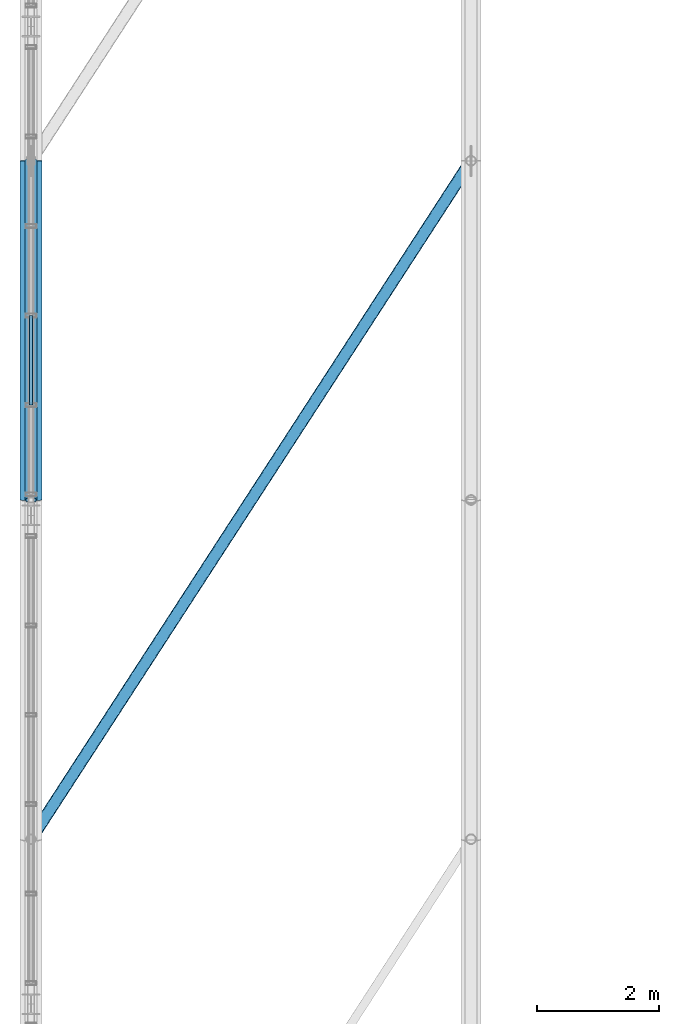
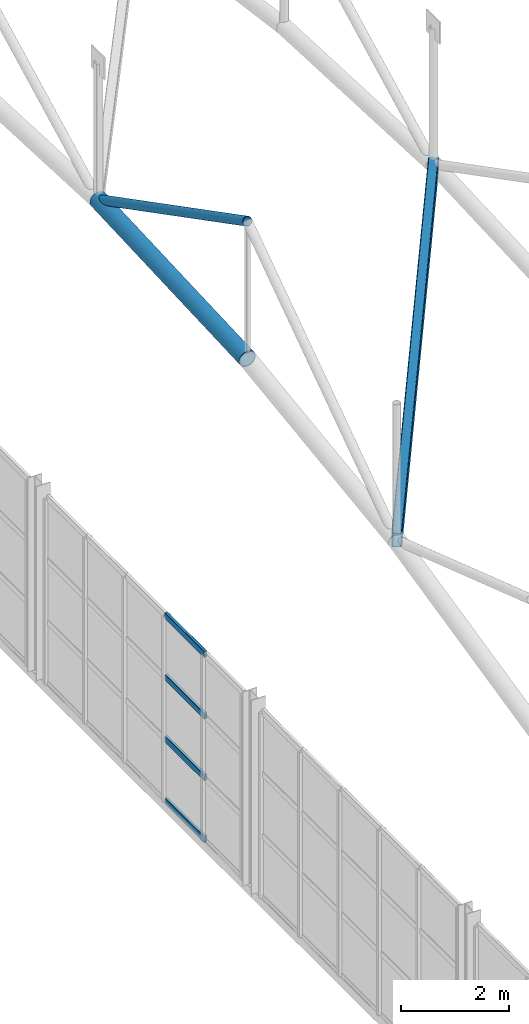
# One storey, part 30 of 153: 7 members, 1 element without a shape of its own.
"""IFC4 building model written with IfcOpenShell, lengths in metres."""

from ifc_helpers import new_model, si_unit, derived_unit, direction, frame, origin, origin_2d, place, context, subcontext, project, spatial, hollow_rectangle, hollow_circle, extrude, material, material_profile, profile_set, type_object, element, aggregate, save


model = new_model("IFC4")

# Units and contexts
model_context = context("Model", 3, precision=1e-05, world=origin(), true_north=direction((0.0, 1.0)))
body_context = subcontext(model_context, "Body", "Model", "MODEL_VIEW")
ifc_project = project(units=[si_unit("LENGTHUNIT", "METRE"), si_unit("AREAUNIT", "SQUARE_METRE"), si_unit("VOLUMEUNIT", "CUBIC_METRE"), si_unit("PLANEANGLEUNIT", "RADIAN"), si_unit("MASSUNIT", "GRAM", prefix="KILO"), derived_unit("THERMALTRANSMITTANCEUNIT", [(si_unit("POWERUNIT", "WATT"), 1), (si_unit("LENGTHUNIT", "METRE"), -2), (si_unit("THERMODYNAMICTEMPERATUREUNIT", "KELVIN"), -1)])], contexts=[model_context])

# Site, building, storey
site_placement = place(None, origin())
site = spatial("IfcSite", under=ifc_project, at=site_placement, CompositionType="ELEMENT")
building_placement = place(site_placement, origin())
building = spatial("IfcBuilding", under=site, at=building_placement, Name="Keldorne Ridge Multi-Sports Centre", CompositionType="ELEMENT")
storey_placement = place(building_placement, frame((0.0, 0.0, 9.60009765625)))
storey = spatial("IfcBuildingStorey", under=building, at=storey_placement, Name="L02", CompositionType="ELEMENT", Elevation=9.60009765625)

# Members
ifc_material_1 = material(Name="Steel S355", Category="steel")
ifc_material_profile_1 = material_profile(ifc_material_1, hollow_circle(Radius=0.177734375, WallThickness=0.01611328125, at=origin_2d()), Name="CHS 355.6x16")
ifc_profile_set_1 = profile_set([ifc_material_profile_1], Name="Steel S355")
member_type_1 = type_object("IfcMemberType", Name="MEM-TC-01", PredefinedType="CHORD", material=ifc_profile_set_1)
member_1_placement = place(storey_placement, frame((6.0, 26.25, 11.849853515625), z_axis=(0.0, 0.99898703105, 0.044999019918), x_axis=(-1.0, 0.0, 0.0)))
element("IfcMember", 1, at=member_1_placement, inside=storey, type_object=member_type_1, Name="Main Hall ROOF TRUSS AT-01 bottom chord 4", PredefinedType="CHORD", context=body_context, shape_type="SweptSolid", body=[
    extrude(hollow_circle(Radius=0.177734375, WallThickness=0.01611328125, at=origin_2d()), origin(), (0.0, 0.0, 1.0), 5.5556640625),
])
ifc_material_profile_2 = material_profile(ifc_material_1, hollow_circle(Radius=0.096923828125, WallThickness=0.010009765625, at=origin_2d()), Name="CHS 193.7x10")
ifc_profile_set_2 = profile_set([ifc_material_profile_2], Name="Steel S355")
member_type_2 = type_object("IfcMemberType", Name="MEM-TD-01", PredefinedType="BRACE", material=ifc_profile_set_2)
member_2_placement = place(storey_placement, frame((6.0, 26.25, 14.969970703125), z_axis=(0.0, 0.888256676743, -0.459347446082), x_axis=(-1.0, 0.0, 0.0)))
element("IfcMember", 2, at=member_2_placement, inside=storey, type_object=member_type_2, Name="Main Hall ROOF TRUSS AT-01 diagonal 4", PredefinedType="BRACE", context=body_context, shape_type="SweptSolid", body=[
    extrude(hollow_circle(Radius=0.096923828125, WallThickness=0.010009765625, at=origin_2d()), origin(), (0.0, 0.0, 1.0), 6.248291015625),
])

# Curtain wall, members
ifc_material_2 = material(Name="Anodized aluminium", Category="aluminium")
curtain_wall_type = type_object("IfcCurtainWallType", Name="CW-CW-07", PredefinedType="NOTDEFINED", material=ifc_material_2)
curtain_wall_placement = place(storey_placement, origin())
curtain_wall = element("IfcCurtainWall", 3, at=curtain_wall_placement, inside=storey, type_object=curtain_wall_type, Name="Main Hall west high gable glazing 031", PredefinedType="NOTDEFINED")
ifc_material_profile_3 = material_profile(ifc_material_2, hollow_rectangle(XDim=0.06494140625, YDim=0.139892578125, WallThickness=0.00439453125, InnerFilletRadius=0.00439453125, OuterFilletRadius=0.009033203125, at=origin_2d()), Name="ALU TRANSOM 140x65x4.5")
ifc_profile_set_3 = profile_set([ifc_material_profile_3], Name="Anodized aluminium")
member_type_3 = type_object("IfcMemberType", Name="MEM-TR-01", PredefinedType="USERDEFINED", material=ifc_profile_set_3)
member_3_placement = place(storey_placement, frame((6.0, 29.26806640625, 0.0), z_axis=(0.0, -1.0, 0.0), x_axis=(1.0, 0.0, 0.0)))
member_3 = element("IfcMember", 4, at=member_3_placement, type_object=member_type_3, Name="CW-031 transom 4.1", ObjectType="TRANSOM", PredefinedType="USERDEFINED", context=body_context, shape_type="SweptSolid", body=[
    extrude(hollow_rectangle(XDim=0.06494140625, YDim=0.139892578125, WallThickness=0.00439453125, InnerFilletRadius=0.00439453125, OuterFilletRadius=0.009033203125, at=origin_2d()), origin(), (0.0, 0.0, 1.0), 1.464111328125),
])
member_4_placement = place(storey_placement, frame((6.0, 29.26806640625, 1.39990234375), z_axis=(0.0, -1.0, 0.0), x_axis=(1.0, 0.0, 0.0)))
member_4 = element("IfcMember", 5, at=member_4_placement, type_object=member_type_3, Name="CW-031 transom 4.2", ObjectType="TRANSOM", PredefinedType="USERDEFINED", context=body_context, shape_type="SweptSolid", body=[
    extrude(hollow_rectangle(XDim=0.06494140625, YDim=0.139892578125, WallThickness=0.00439453125, InnerFilletRadius=0.00439453125, OuterFilletRadius=0.009033203125, at=origin_2d()), origin(), (0.0, 0.0, 1.0), 1.464111328125),
])
member_5_placement = place(storey_placement, frame((6.0, 29.26806640625, 2.7998046875), z_axis=(0.0, -1.0, 0.0), x_axis=(1.0, 0.0, 0.0)))
member_5 = element("IfcMember", 6, at=member_5_placement, type_object=member_type_3, Name="CW-031 transom 4.3", ObjectType="TRANSOM", PredefinedType="USERDEFINED", context=body_context, shape_type="SweptSolid", body=[
    extrude(hollow_rectangle(XDim=0.06494140625, YDim=0.139892578125, WallThickness=0.00439453125, InnerFilletRadius=0.00439453125, OuterFilletRadius=0.009033203125, at=origin_2d()), origin(), (0.0, 0.0, 1.0), 1.464111328125),
])
member_6_placement = place(storey_placement, frame((6.0, 29.26806640625, 4.199951171875), z_axis=(0.0, -1.0, 0.0), x_axis=(1.0, 0.0, 0.0)))
member_6 = element("IfcMember", 7, at=member_6_placement, type_object=member_type_3, Name="CW-031 transom 4.4", ObjectType="TRANSOM", PredefinedType="USERDEFINED", context=body_context, shape_type="SweptSolid", body=[
    extrude(hollow_rectangle(XDim=0.06494140625, YDim=0.139892578125, WallThickness=0.00439453125, InnerFilletRadius=0.00439453125, OuterFilletRadius=0.009033203125, at=origin_2d()), origin(), (0.0, 0.0, 1.0), 1.464111328125),
])
aggregate(curtain_wall, [member_3, member_4, member_5, member_6])

# Member
ifc_material_profile_4 = material_profile(ifc_material_1, hollow_rectangle(XDim=0.199951171875, YDim=0.300048828125, WallThickness=0.012451171875, InnerFilletRadius=0.012451171875, OuterFilletRadius=0.02490234375, at=origin_2d()), Name="RHS 300x200x12.5")
ifc_profile_set_4 = profile_set([ifc_material_profile_4], Name="Steel S355")
member_type_4 = type_object("IfcMemberType", Name="MEM-WB-01", PredefinedType="BRACE", material=ifc_profile_set_4)
member_7_placement = place(storey_placement, frame((6.0, 20.699951171875, 11.099853515625), z_axis=(0.543381209243, 0.837725748854, -0.054336278392), x_axis=(-0.83896515778, 0.544185137643, 0.0)))
element("IfcMember", 8, at=member_7_placement, inside=storey, type_object=member_type_4, Name="Main Hall wind girder brace 1.3", PredefinedType="BRACE", context=body_context, shape_type="SweptSolid", body=[
    extrude(hollow_rectangle(XDim=0.199951171875, YDim=0.300048828125, WallThickness=0.012451171875, InnerFilletRadius=0.012451171875, OuterFilletRadius=0.02490234375, at=origin_2d()), origin(), (0.0, 0.0, 1.0), 13.250244140625),
])

save(model, "model.ifc")
